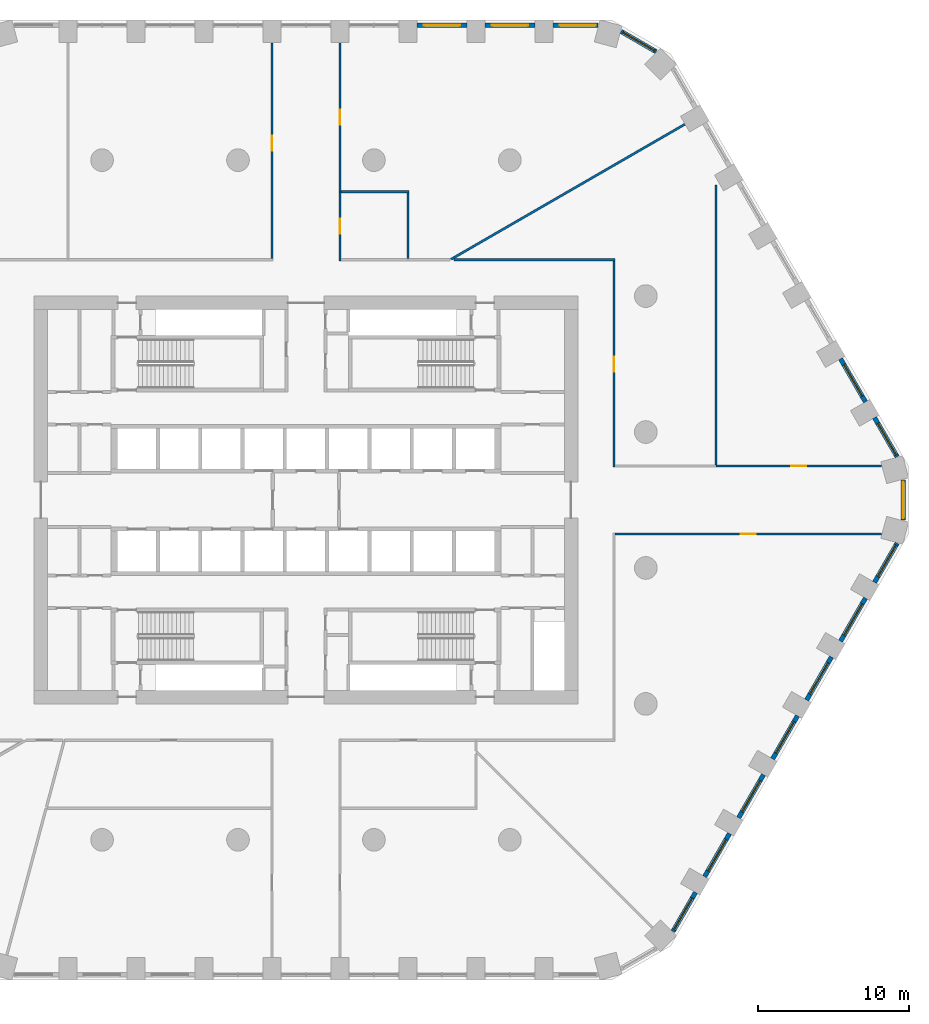
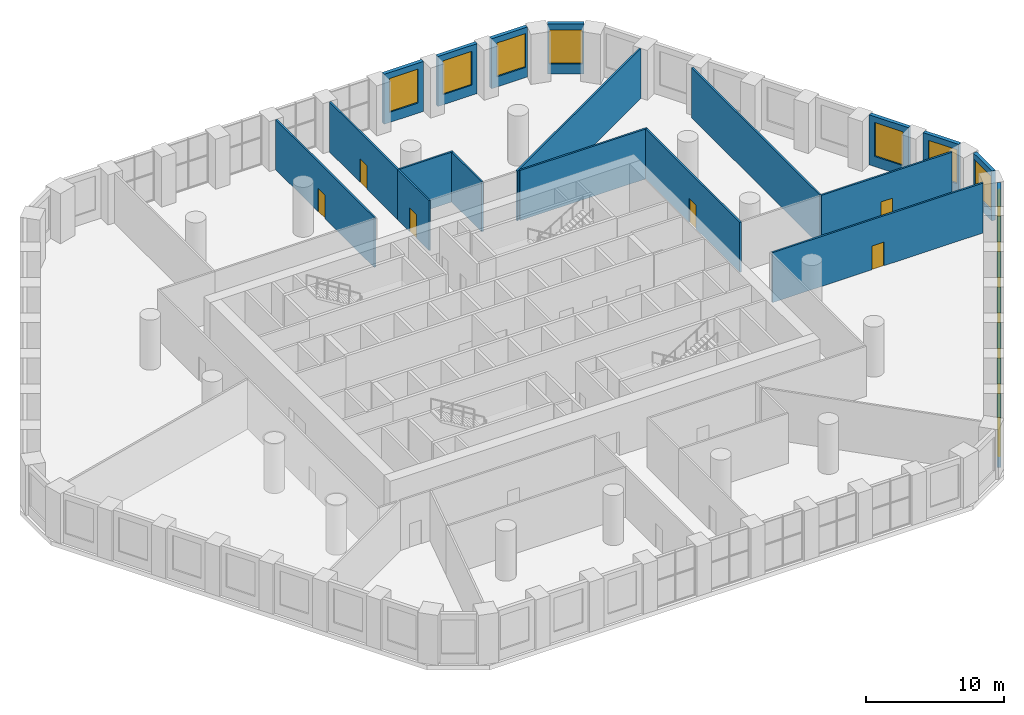
# One storey, part 10 of 13: 25 walls, 14 windows, 6 doors, 20 openings.
"""IFC4 building model written with IfcOpenShell, lengths in metres."""

from ifc_helpers import new_model, si_unit, direction, frame, frame_2d, origin, place, context, subcontext, project, spatial, rectangle, extrude, material, layer, layer_set, type_object, element, fill, save


model = new_model("IFC4")

# Units and contexts
model_context = context("Model", 3, precision=1e-05, world=origin(), true_north=direction((0.0, 1.0)))
body_context = subcontext(model_context, "Body", "Model", "MODEL_VIEW")
ifc_project = project(units=[si_unit("LENGTHUNIT", "METRE"), si_unit("AREAUNIT", "SQUARE_METRE"), si_unit("VOLUMEUNIT", "CUBIC_METRE"), si_unit("PLANEANGLEUNIT", "RADIAN"), si_unit("MASSUNIT", "GRAM", prefix="KILO")], contexts=[model_context])

# Site, building, storey
site_placement = place(None, origin())
site = spatial("IfcSite", under=ifc_project, at=site_placement, CompositionType="ELEMENT")
building_placement = place(site_placement, origin())
building = spatial("IfcBuilding", under=site, at=building_placement, Name="Dhurran Vertical Campus", CompositionType="ELEMENT")
storey_placement = place(building_placement, frame((0.0, 0.0, 25.199951171875)))
storey = spatial("IfcBuildingStorey", under=building, at=storey_placement, Name="L05", CompositionType="ELEMENT", Elevation=25.199951171875)

# Wall, opening, window
ifc_material_1 = material(Name="Precast concrete C50/60", Category="concrete")
ifc_layer_1 = layer(ifc_material_1, 0.300048828125)
ifc_layer_set_1 = layer_set([ifc_layer_1], Name="Precast concrete C50/60")
wall_type_1 = type_object("IfcWallType", Name="Precast spandrel wall 300", PredefinedType="SOLIDWALL", material=ifc_layer_set_1)
wall_1_placement = place(storey_placement, frame((24.29931640625, -28.566162109375, 0.0), z_axis=(0.0, 0.0, 1.0), x_axis=(0.49999586137, 0.866027793211, 0.0)))
wall_1 = element("IfcWall", 1, at=wall_1_placement, inside=storey, type_object=wall_type_1, Name="EW1 L05.10", PredefinedType="SOLIDWALL", context=body_context, shape_type="SweptSolid", body=[
    extrude(rectangle(XDim=2.98876953125, YDim=0.300048828125, at=frame_2d((1.494384765625, 0.0))), origin(), (0.0, 0.0, 1.0), 4.425048828125),
])
opening_1_placement = place(wall_1_placement, frame((0.139404296875, 0.0, 0.89990234375)))
opening_1 = element("IfcOpeningElement", 2, at=opening_1_placement, cuts=wall_1, Name="Opening WT2", PredefinedType="OPENING", context=body_context, shape_type="SweptSolid", body=[
    extrude(rectangle(XDim=2.39990234375, YDim=3.0, at=frame_2d((1.199951171875, 1.5))), frame((0.0, 0.159912109375, 0.0), z_axis=(0.0, -1.0, 0.0), x_axis=(1.0, 0.0, 0.0)), (0.0, 0.0, 1.0), 0.320068359375),
])
ifc_material_2 = material(Name="Aluminium frame with solar-control glass", Category="aluminium")
window_type = type_object("IfcWindowType", Name="Podium window 2400 x 3000", PartitioningType="SINGLE_PANEL", PredefinedType="WINDOW", material=ifc_material_2)
window_1_placement = place(opening_1_placement, origin())
window_1 = element("IfcWindow", 3, at=window_1_placement, inside=storey, type_object=window_type, Name="WT2 L05.10", OverallHeight=3.0, OverallWidth=2.39990234375, PartitioningType="SINGLE_PANEL", PredefinedType="WINDOW", context=body_context, shape_type="SweptSolid", body=[
    extrude(rectangle(XDim=2.39990234375, YDim=3.0, at=frame_2d((1.199951171875, 1.5))), frame((0.0, 0.030029296875, 0.0), z_axis=(0.0, -1.0, 0.0), x_axis=(1.0, 0.0, 0.0)), (0.0, 0.0, 1.0), 0.06005859375),
])
fill(opening_1, window_1)

wall_2_placement = place(storey_placement, frame((26.394287109375, -24.9375, 0.0), z_axis=(0.0, 0.0, 1.0), x_axis=(0.499991515992, 0.866030301974, 0.0)))
wall_2 = element("IfcWall", 4, at=wall_2_placement, inside=storey, type_object=wall_type_1, Name="EW1 L05.11", PredefinedType="SOLIDWALL", context=body_context, shape_type="SweptSolid", body=[
    extrude(rectangle(XDim=3.298828125, YDim=0.300048828125, at=frame_2d((1.6494140625, 0.0))), origin(), (0.0, 0.0, 1.0), 4.425048828125),
])
opening_2_placement = place(wall_2_placement, frame((0.449462890625, 0.0, 0.89990234375)))
opening_2 = element("IfcOpeningElement", 5, at=opening_2_placement, cuts=wall_2, Name="Opening WT2", PredefinedType="OPENING", context=body_context, shape_type="SweptSolid", body=[
    extrude(rectangle(XDim=2.39990234375, YDim=3.0, at=frame_2d((1.199951171875, 1.5))), frame((0.0, 0.159912109375, 0.0), z_axis=(0.0, -1.0, 0.0), x_axis=(1.0, 0.0, 0.0)), (0.0, 0.0, 1.0), 0.320068359375),
])
window_2_placement = place(opening_2_placement, origin())
window_2 = element("IfcWindow", 6, at=window_2_placement, inside=storey, type_object=window_type, Name="WT2 L05.11", OverallHeight=3.0, OverallWidth=2.39990234375, PartitioningType="SINGLE_PANEL", PredefinedType="WINDOW", context=body_context, shape_type="SweptSolid", body=[
    extrude(rectangle(XDim=2.39990234375, YDim=3.0, at=frame_2d((1.199951171875, 1.5))), frame((0.0, 0.030029296875, 0.0), z_axis=(0.0, -1.0, 0.0), x_axis=(1.0, 0.0, 0.0)), (0.0, 0.0, 1.0), 0.06005859375),
])
fill(opening_2, window_2)

wall_3_placement = place(storey_placement, frame((28.644287109375, -21.04052734375, 0.0), z_axis=(0.0, 0.0, 1.0), x_axis=(0.499991515992, 0.866030301974, 0.0)))
wall_3 = element("IfcWall", 7, at=wall_3_placement, inside=storey, type_object=wall_type_1, Name="EW1 L05.12", PredefinedType="SOLIDWALL", context=body_context, shape_type="SweptSolid", body=[
    extrude(rectangle(XDim=3.298828125, YDim=0.300048828125, at=frame_2d((1.6494140625, 0.0))), origin(), (0.0, 0.0, 1.0), 4.425048828125),
])
opening_3_placement = place(wall_3_placement, frame((0.449462890625, 0.0, 0.89990234375)))
opening_3 = element("IfcOpeningElement", 8, at=opening_3_placement, cuts=wall_3, Name="Opening WT2", PredefinedType="OPENING", context=body_context, shape_type="SweptSolid", body=[
    extrude(rectangle(XDim=2.39990234375, YDim=3.0, at=frame_2d((1.199951171875, 1.5))), frame((0.0, 0.159912109375, 0.0), z_axis=(0.0, -1.0, 0.0), x_axis=(1.0, 0.0, 0.0)), (0.0, 0.0, 1.0), 0.320068359375),
])
window_3_placement = place(opening_3_placement, origin())
window_3 = element("IfcWindow", 9, at=window_3_placement, inside=storey, type_object=window_type, Name="WT2 L05.12", OverallHeight=3.0, OverallWidth=2.39990234375, PartitioningType="SINGLE_PANEL", PredefinedType="WINDOW", context=body_context, shape_type="SweptSolid", body=[
    extrude(rectangle(XDim=2.39990234375, YDim=3.0, at=frame_2d((1.199951171875, 1.5))), frame((0.0, 0.030029296875, 0.0), z_axis=(0.0, -1.0, 0.0), x_axis=(1.0, 0.0, 0.0)), (0.0, 0.0, 1.0), 0.06005859375),
])
fill(opening_3, window_3)

wall_4_placement = place(storey_placement, frame((30.894287109375, -17.143310546875, 0.0), z_axis=(0.0, 0.0, 1.0), x_axis=(0.499991515992, 0.866030301974, 0.0)))
wall_4 = element("IfcWall", 10, at=wall_4_placement, inside=storey, type_object=wall_type_1, Name="EW1 L05.13", PredefinedType="SOLIDWALL", context=body_context, shape_type="SweptSolid", body=[
    extrude(rectangle(XDim=3.298828125, YDim=0.300048828125, at=frame_2d((1.6494140625, 0.0))), origin(), (0.0, 0.0, 1.0), 4.425048828125),
])
opening_4_placement = place(wall_4_placement, frame((0.449462890625, 0.0, 0.89990234375)))
opening_4 = element("IfcOpeningElement", 11, at=opening_4_placement, cuts=wall_4, Name="Opening WT2", PredefinedType="OPENING", context=body_context, shape_type="SweptSolid", body=[
    extrude(rectangle(XDim=2.39990234375, YDim=3.0, at=frame_2d((1.199951171875, 1.5))), frame((0.0, 0.159912109375, 0.0), z_axis=(0.0, -1.0, 0.0), x_axis=(1.0, 0.0, 0.0)), (0.0, 0.0, 1.0), 0.320068359375),
])
window_4_placement = place(opening_4_placement, origin())
window_4 = element("IfcWindow", 12, at=window_4_placement, inside=storey, type_object=window_type, Name="WT2 L05.13", OverallHeight=3.0, OverallWidth=2.39990234375, PartitioningType="SINGLE_PANEL", PredefinedType="WINDOW", context=body_context, shape_type="SweptSolid", body=[
    extrude(rectangle(XDim=2.39990234375, YDim=3.0, at=frame_2d((1.199951171875, 1.5))), frame((0.0, 0.030029296875, 0.0), z_axis=(0.0, -1.0, 0.0), x_axis=(1.0, 0.0, 0.0)), (0.0, 0.0, 1.0), 0.06005859375),
])
fill(opening_4, window_4)

wall_5_placement = place(storey_placement, frame((33.144287109375, -13.246337890625, 0.0), z_axis=(0.0, 0.0, 1.0), x_axis=(0.499991515992, 0.866030301974, 0.0)))
wall_5 = element("IfcWall", 13, at=wall_5_placement, inside=storey, type_object=wall_type_1, Name="EW1 L05.14", PredefinedType="SOLIDWALL", context=body_context, shape_type="SweptSolid", body=[
    extrude(rectangle(XDim=3.298828125, YDim=0.300048828125, at=frame_2d((1.6494140625, 0.0))), origin(), (0.0, 0.0, 1.0), 4.425048828125),
])
opening_5_placement = place(wall_5_placement, frame((0.449462890625, 0.0, 0.89990234375)))
opening_5 = element("IfcOpeningElement", 14, at=opening_5_placement, cuts=wall_5, Name="Opening WT2", PredefinedType="OPENING", context=body_context, shape_type="SweptSolid", body=[
    extrude(rectangle(XDim=2.39990234375, YDim=3.0, at=frame_2d((1.199951171875, 1.5))), frame((0.0, 0.159912109375, 0.0), z_axis=(0.0, -1.0, 0.0), x_axis=(1.0, 0.0, 0.0)), (0.0, 0.0, 1.0), 0.320068359375),
])
window_5_placement = place(opening_5_placement, origin())
window_5 = element("IfcWindow", 15, at=window_5_placement, inside=storey, type_object=window_type, Name="WT2 L05.14", OverallHeight=3.0, OverallWidth=2.39990234375, PartitioningType="SINGLE_PANEL", PredefinedType="WINDOW", context=body_context, shape_type="SweptSolid", body=[
    extrude(rectangle(XDim=2.39990234375, YDim=3.0, at=frame_2d((1.199951171875, 1.5))), frame((0.0, 0.030029296875, 0.0), z_axis=(0.0, -1.0, 0.0), x_axis=(1.0, 0.0, 0.0)), (0.0, 0.0, 1.0), 0.06005859375),
])
fill(opening_5, window_5)

wall_6_placement = place(storey_placement, frame((35.394287109375, -9.34912109375, 0.0), z_axis=(0.0, 0.0, 1.0), x_axis=(0.499991515992, 0.866030301974, 0.0)))
wall_6 = element("IfcWall", 16, at=wall_6_placement, inside=storey, type_object=wall_type_1, Name="EW1 L05.15", PredefinedType="SOLIDWALL", context=body_context, shape_type="SweptSolid", body=[
    extrude(rectangle(XDim=3.298828125, YDim=0.300048828125, at=frame_2d((1.6494140625, 0.0))), origin(), (0.0, 0.0, 1.0), 4.425048828125),
])
opening_6_placement = place(wall_6_placement, frame((0.449462890625, 0.0, 0.89990234375)))
opening_6 = element("IfcOpeningElement", 17, at=opening_6_placement, cuts=wall_6, Name="Opening WT2", PredefinedType="OPENING", context=body_context, shape_type="SweptSolid", body=[
    extrude(rectangle(XDim=2.39990234375, YDim=3.0, at=frame_2d((1.199951171875, 1.5))), frame((0.0, 0.159912109375, 0.0), z_axis=(0.0, -1.0, 0.0), x_axis=(1.0, 0.0, 0.0)), (0.0, 0.0, 1.0), 0.320068359375),
])
window_6_placement = place(opening_6_placement, origin())
window_6 = element("IfcWindow", 18, at=window_6_placement, inside=storey, type_object=window_type, Name="WT2 L05.15", OverallHeight=3.0, OverallWidth=2.39990234375, PartitioningType="SINGLE_PANEL", PredefinedType="WINDOW", context=body_context, shape_type="SweptSolid", body=[
    extrude(rectangle(XDim=2.39990234375, YDim=3.0, at=frame_2d((1.199951171875, 1.5))), frame((0.0, 0.030029296875, 0.0), z_axis=(0.0, -1.0, 0.0), x_axis=(1.0, 0.0, 0.0)), (0.0, 0.0, 1.0), 0.06005859375),
])
fill(opening_6, window_6)

wall_7_placement = place(storey_placement, frame((37.644287109375, -5.4521484375, 0.0), z_axis=(0.0, 0.0, 1.0), x_axis=(0.49999586137, 0.866027793211, 0.0)))
wall_7 = element("IfcWall", 19, at=wall_7_placement, inside=storey, type_object=wall_type_1, Name="EW1 L05.16", PredefinedType="SOLIDWALL", context=body_context, shape_type="SweptSolid", body=[
    extrude(rectangle(XDim=2.98876953125, YDim=0.300048828125, at=frame_2d((1.494384765625, 0.0))), origin(), (0.0, 0.0, 1.0), 4.425048828125),
])
opening_7_placement = place(wall_7_placement, frame((0.449462890625, 0.0, 0.89990234375)))
opening_7 = element("IfcOpeningElement", 20, at=opening_7_placement, cuts=wall_7, Name="Opening WT2", PredefinedType="OPENING", context=body_context, shape_type="SweptSolid", body=[
    extrude(rectangle(XDim=2.39990234375, YDim=3.0, at=frame_2d((1.199951171875, 1.5))), frame((0.0, 0.159912109375, 0.0), z_axis=(0.0, -1.0, 0.0), x_axis=(1.0, 0.0, 0.0)), (0.0, 0.0, 1.0), 0.320068359375),
])
window_7_placement = place(opening_7_placement, origin())
window_7 = element("IfcWindow", 21, at=window_7_placement, inside=storey, type_object=window_type, Name="WT2 L05.16", OverallHeight=3.0, OverallWidth=2.39990234375, PartitioningType="SINGLE_PANEL", PredefinedType="WINDOW", context=body_context, shape_type="SweptSolid", body=[
    extrude(rectangle(XDim=2.39990234375, YDim=3.0, at=frame_2d((1.199951171875, 1.5))), frame((0.0, 0.030029296875, 0.0), z_axis=(0.0, -1.0, 0.0), x_axis=(1.0, 0.0, 0.0)), (0.0, 0.0, 1.0), 0.06005859375),
])
fill(opening_7, window_7)

wall_8_placement = place(storey_placement, frame((39.547119140625, -1.33935546875, 0.0), z_axis=(0.0, 0.0, 1.0), x_axis=(0.0, 1.0, 0.0)))
wall_8 = element("IfcWall", 22, at=wall_8_placement, inside=storey, type_object=wall_type_1, Name="EW1 L05.17", PredefinedType="SOLIDWALL", context=body_context, shape_type="SweptSolid", body=[
    extrude(rectangle(XDim=2.6787109375, YDim=0.300048828125, at=frame_2d((1.33935546875, 0.0))), origin(), (0.0, 0.0, 1.0), 4.425048828125),
])
opening_8_placement = place(wall_8_placement, frame((0.139404296875, 0.0, 0.89990234375)))
opening_8 = element("IfcOpeningElement", 23, at=opening_8_placement, cuts=wall_8, Name="Opening WT2", PredefinedType="OPENING", context=body_context, shape_type="SweptSolid", body=[
    extrude(rectangle(XDim=2.39990234375, YDim=3.0, at=frame_2d((1.199951171875, 1.5))), frame((0.0, 0.159912109375, 0.0), z_axis=(0.0, -1.0, 0.0), x_axis=(1.0, 0.0, 0.0)), (0.0, 0.0, 1.0), 0.320068359375),
])
window_8_placement = place(opening_8_placement, origin())
window_8 = element("IfcWindow", 24, at=window_8_placement, inside=storey, type_object=window_type, Name="WT2 L05.17", OverallHeight=3.0, OverallWidth=2.39990234375, PartitioningType="SINGLE_PANEL", PredefinedType="WINDOW", context=body_context, shape_type="SweptSolid", body=[
    extrude(rectangle(XDim=2.39990234375, YDim=3.0, at=frame_2d((1.199951171875, 1.5))), frame((0.0, 0.030029296875, 0.0), z_axis=(0.0, -1.0, 0.0), x_axis=(1.0, 0.0, 0.0)), (0.0, 0.0, 1.0), 0.06005859375),
])
fill(opening_8, window_8)

wall_9_placement = place(storey_placement, frame((39.138671875, 2.86376953125, 0.0), z_axis=(0.0, 0.0, 1.0), x_axis=(-0.49999586137, 0.866027793211, 0.0)))
wall_9 = element("IfcWall", 25, at=wall_9_placement, inside=storey, type_object=wall_type_1, Name="EW1 L05.18", PredefinedType="SOLIDWALL", context=body_context, shape_type="SweptSolid", body=[
    extrude(rectangle(XDim=2.98876953125, YDim=0.300048828125, at=frame_2d((1.494384765625, 0.0))), origin(), (0.0, 0.0, 1.0), 4.425048828125),
])
opening_9_placement = place(wall_9_placement, frame((0.139404296875, 0.0, 0.89990234375)))
opening_9 = element("IfcOpeningElement", 26, at=opening_9_placement, cuts=wall_9, Name="Opening WT2", PredefinedType="OPENING", context=body_context, shape_type="SweptSolid", body=[
    extrude(rectangle(XDim=2.39990234375, YDim=3.0, at=frame_2d((1.199951171875, 1.5))), frame((0.0, 0.159912109375, 0.0), z_axis=(0.0, -1.0, 0.0), x_axis=(1.0, 0.0, 0.0)), (0.0, 0.0, 1.0), 0.320068359375),
])
window_9_placement = place(opening_9_placement, origin())
window_9 = element("IfcWindow", 27, at=window_9_placement, inside=storey, type_object=window_type, Name="WT2 L05.18", OverallHeight=3.0, OverallWidth=2.39990234375, PartitioningType="SINGLE_PANEL", PredefinedType="WINDOW", context=body_context, shape_type="SweptSolid", body=[
    extrude(rectangle(XDim=2.39990234375, YDim=3.0, at=frame_2d((1.199951171875, 1.5))), frame((0.0, 0.030029296875, 0.0), z_axis=(0.0, -1.0, 0.0), x_axis=(1.0, 0.0, 0.0)), (0.0, 0.0, 1.0), 0.06005859375),
])
fill(opening_9, window_9)

wall_10_placement = place(storey_placement, frame((37.043701171875, 6.4921875, 0.0), z_axis=(0.0, 0.0, 1.0), x_axis=(-0.499991515992, 0.866030301974, 0.0)))
wall_10 = element("IfcWall", 28, at=wall_10_placement, inside=storey, type_object=wall_type_1, Name="EW1 L05.19", PredefinedType="SOLIDWALL", context=body_context, shape_type="SweptSolid", body=[
    extrude(rectangle(XDim=3.298828125, YDim=0.300048828125, at=frame_2d((1.6494140625, 0.0))), origin(), (0.0, 0.0, 1.0), 4.425048828125),
])
opening_10_placement = place(wall_10_placement, frame((0.449462890625, 0.0, 0.89990234375)))
opening_10 = element("IfcOpeningElement", 29, at=opening_10_placement, cuts=wall_10, Name="Opening WT2", PredefinedType="OPENING", context=body_context, shape_type="SweptSolid", body=[
    extrude(rectangle(XDim=2.39990234375, YDim=3.0, at=frame_2d((1.199951171875, 1.5))), frame((0.0, 0.159912109375, 0.0), z_axis=(0.0, -1.0, 0.0), x_axis=(1.0, 0.0, 0.0)), (0.0, 0.0, 1.0), 0.320068359375),
])
window_10_placement = place(opening_10_placement, origin())
window_10 = element("IfcWindow", 30, at=window_10_placement, inside=storey, type_object=window_type, Name="WT2 L05.19", OverallHeight=3.0, OverallWidth=2.39990234375, PartitioningType="SINGLE_PANEL", PredefinedType="WINDOW", context=body_context, shape_type="SweptSolid", body=[
    extrude(rectangle(XDim=2.39990234375, YDim=3.0, at=frame_2d((1.199951171875, 1.5))), frame((0.0, 0.030029296875, 0.0), z_axis=(0.0, -1.0, 0.0), x_axis=(1.0, 0.0, 0.0)), (0.0, 0.0, 1.0), 0.06005859375),
])
fill(opening_10, window_10)

wall_11_placement = place(storey_placement, frame((23.183349609375, 29.681884765625, 0.0), z_axis=(0.0, 0.0, 1.0), x_axis=(-0.866001915448, 0.500040680786, 0.0)))
wall_11 = element("IfcWall", 31, at=wall_11_placement, inside=storey, type_object=wall_type_1, Name="EW1 L05.25", PredefinedType="SOLIDWALL", context=body_context, shape_type="SweptSolid", body=[
    extrude(rectangle(XDim=2.678466796875, YDim=0.300048828125, at=frame_2d((1.33935546875, 0.0))), origin(), (0.0, 0.0, 1.0), 4.425048828125),
])
opening_11_placement = place(wall_11_placement, frame((0.139404296875, 0.0, 0.89990234375)))
opening_11 = element("IfcOpeningElement", 32, at=opening_11_placement, cuts=wall_11, Name="Opening WT2", PredefinedType="OPENING", context=body_context, shape_type="SweptSolid", body=[
    extrude(rectangle(XDim=2.39990234375, YDim=3.0, at=frame_2d((1.199951171875, 1.5))), frame((0.0, 0.159912109375, 0.0), z_axis=(0.0, -1.0, 0.0), x_axis=(1.0, 0.0, 0.0)), (0.0, 0.0, 1.0), 0.320068359375),
])
window_11_placement = place(opening_11_placement, origin())
window_11 = element("IfcWindow", 33, at=window_11_placement, inside=storey, type_object=window_type, Name="WT2 L05.25", OverallHeight=3.0, OverallWidth=2.39990234375, PartitioningType="SINGLE_PANEL", PredefinedType="WINDOW", context=body_context, shape_type="SweptSolid", body=[
    extrude(rectangle(XDim=2.39990234375, YDim=3.0, at=frame_2d((1.199951171875, 1.5))), frame((0.0, 0.030029296875, 0.0), z_axis=(0.0, -1.0, 0.0), x_axis=(1.0, 0.0, 0.0)), (0.0, 0.0, 1.0), 0.06005859375),
])
fill(opening_11, window_11)

wall_12_placement = place(storey_placement, frame((19.33935546875, 31.4296875, 0.0), z_axis=(0.0, 0.0, 1.0), x_axis=(-1.0, 0.0, 0.0)))
wall_12 = element("IfcWall", 34, at=wall_12_placement, inside=storey, type_object=wall_type_1, Name="EW1 L05.26", PredefinedType="SOLIDWALL", context=body_context, shape_type="SweptSolid", body=[
    extrude(rectangle(XDim=2.98876953125, YDim=0.300048828125, at=frame_2d((1.494384765625, 0.0))), origin(), (0.0, 0.0, 1.0), 4.425048828125),
])
opening_12_placement = place(wall_12_placement, frame((0.139404296875, 0.0, 0.89990234375)))
opening_12 = element("IfcOpeningElement", 35, at=opening_12_placement, cuts=wall_12, Name="Opening WT2", PredefinedType="OPENING", context=body_context, shape_type="SweptSolid", body=[
    extrude(rectangle(XDim=2.39990234375, YDim=3.0, at=frame_2d((1.199951171875, 1.5))), frame((0.0, 0.159912109375, 0.0), z_axis=(0.0, -1.0, 0.0), x_axis=(1.0, 0.0, 0.0)), (0.0, 0.0, 1.0), 0.320068359375),
])
window_12_placement = place(opening_12_placement, origin())
window_12 = element("IfcWindow", 36, at=window_12_placement, inside=storey, type_object=window_type, Name="WT2 L05.26", OverallHeight=3.0, OverallWidth=2.39990234375, PartitioningType="SINGLE_PANEL", PredefinedType="WINDOW", context=body_context, shape_type="SweptSolid", body=[
    extrude(rectangle(XDim=2.39990234375, YDim=3.0, at=frame_2d((1.199951171875, 1.5))), frame((0.0, 0.030029296875, 0.0), z_axis=(0.0, -1.0, 0.0), x_axis=(1.0, 0.0, 0.0)), (0.0, 0.0, 1.0), 0.06005859375),
])
fill(opening_12, window_12)

wall_13_placement = place(storey_placement, frame((15.1494140625, 31.4296875, 0.0), z_axis=(0.0, 0.0, 1.0), x_axis=(-1.0, 0.0, 0.0)))
wall_13 = element("IfcWall", 37, at=wall_13_placement, inside=storey, type_object=wall_type_1, Name="EW1 L05.27", PredefinedType="SOLIDWALL", context=body_context, shape_type="SweptSolid", body=[
    extrude(rectangle(XDim=3.298828125, YDim=0.300048828125, at=frame_2d((1.6494140625, 0.0))), origin(), (0.0, 0.0, 1.0), 4.425048828125),
])
opening_13_placement = place(wall_13_placement, frame((0.449462890625, 0.0, 0.89990234375)))
opening_13 = element("IfcOpeningElement", 38, at=opening_13_placement, cuts=wall_13, Name="Opening WT2", PredefinedType="OPENING", context=body_context, shape_type="SweptSolid", body=[
    extrude(rectangle(XDim=2.39990234375, YDim=3.0, at=frame_2d((1.199951171875, 1.5))), frame((0.0, 0.159912109375, 0.0), z_axis=(0.0, -1.0, 0.0), x_axis=(1.0, 0.0, 0.0)), (0.0, 0.0, 1.0), 0.320068359375),
])
window_13_placement = place(opening_13_placement, origin())
window_13 = element("IfcWindow", 39, at=window_13_placement, inside=storey, type_object=window_type, Name="WT2 L05.27", OverallHeight=3.0, OverallWidth=2.39990234375, PartitioningType="SINGLE_PANEL", PredefinedType="WINDOW", context=body_context, shape_type="SweptSolid", body=[
    extrude(rectangle(XDim=2.39990234375, YDim=3.0, at=frame_2d((1.199951171875, 1.5))), frame((0.0, 0.030029296875, 0.0), z_axis=(0.0, -1.0, 0.0), x_axis=(1.0, 0.0, 0.0)), (0.0, 0.0, 1.0), 0.06005859375),
])
fill(opening_13, window_13)

wall_14_placement = place(storey_placement, frame((10.6494140625, 31.4296875, 0.0), z_axis=(0.0, 0.0, 1.0), x_axis=(-1.0, 0.0, 0.0)))
wall_14 = element("IfcWall", 40, at=wall_14_placement, inside=storey, type_object=wall_type_1, Name="EW1 L05.28", PredefinedType="SOLIDWALL", context=body_context, shape_type="SweptSolid", body=[
    extrude(rectangle(XDim=3.298828125, YDim=0.300048828125, at=frame_2d((1.6494140625, 0.0))), origin(), (0.0, 0.0, 1.0), 4.425048828125),
])
opening_14_placement = place(wall_14_placement, frame((0.449462890625, 0.0, 0.89990234375)))
opening_14 = element("IfcOpeningElement", 41, at=opening_14_placement, cuts=wall_14, Name="Opening WT2", PredefinedType="OPENING", context=body_context, shape_type="SweptSolid", body=[
    extrude(rectangle(XDim=2.39990234375, YDim=3.0, at=frame_2d((1.199951171875, 1.5))), frame((0.0, 0.159912109375, 0.0), z_axis=(0.0, -1.0, 0.0), x_axis=(1.0, 0.0, 0.0)), (0.0, 0.0, 1.0), 0.320068359375),
])
window_14_placement = place(opening_14_placement, origin())
window_14 = element("IfcWindow", 42, at=window_14_placement, inside=storey, type_object=window_type, Name="WT2 L05.28", OverallHeight=3.0, OverallWidth=2.39990234375, PartitioningType="SINGLE_PANEL", PredefinedType="WINDOW", context=body_context, shape_type="SweptSolid", body=[
    extrude(rectangle(XDim=2.39990234375, YDim=3.0, at=frame_2d((1.199951171875, 1.5))), frame((0.0, 0.030029296875, 0.0), z_axis=(0.0, -1.0, 0.0), x_axis=(1.0, 0.0, 0.0)), (0.0, 0.0, 1.0), 0.06005859375),
])
fill(opening_14, window_14)

# Wall, opening, door
ifc_material_3 = material(Name="Gypsum board corridor wall on steel studs", Category="steel")
ifc_layer_2 = layer(ifc_material_3, 0.14990234375)
ifc_layer_set_2 = layer_set([ifc_layer_2], Name="Gypsum board corridor wall on steel studs")
wall_type_2 = type_object("IfcWallType", Name="fl-CW-150 corridor wall", PredefinedType="PARTITIONING", material=ifc_layer_set_2)
wall_15_placement = place(storey_placement, frame((-2.25, 15.97509765625, 0.0), z_axis=(0.0, 0.0, 1.0), x_axis=(0.0, 1.0, 0.0)))
wall_15 = element("IfcWall", 43, at=wall_15_placement, inside=storey, type_object=wall_type_2, Name="Partition 05-16", PredefinedType="PARTITIONING", context=body_context, shape_type="SweptSolid", body=[
    extrude(rectangle(XDim=14.28466796875, YDim=0.14990234375, at=frame_2d((7.142333984375, 0.0))), origin(), (0.0, 0.0, 1.0), 4.425048828125),
])
opening_15_placement = place(wall_15_placement, frame((7.142333984375, 0.0, 0.0)))
opening_15 = element("IfcOpeningElement", 44, at=opening_15_placement, cuts=wall_15, Name="Opening PD05.06", PredefinedType="OPENING", context=body_context, shape_type="SweptSolid", body=[
    extrude(rectangle(XDim=1.0, YDim=2.10009765625, at=frame_2d((0.5, 1.050048828125))), frame((0.0, 0.0849609375, 0.0), z_axis=(0.0, -1.0, 0.0), x_axis=(1.0, 0.0, 0.0)), (0.0, 0.0, 1.0), 0.169921875),
])
ifc_material_4 = material(Name="Solid-core timber door set, fire-rated", Category="wood")
door_type = type_object("IfcDoorType", Name="fl-D-1000x2100", OperationType="SINGLE_SWING_LEFT", PredefinedType="DOOR", material=ifc_material_4)
door_1_placement = place(opening_15_placement, origin())
door_1 = element("IfcDoor", 45, at=door_1_placement, inside=storey, type_object=door_type, Name="Door 05.06", OperationType="SINGLE_SWING_LEFT", OverallHeight=2.10009765625, OverallWidth=1.0, PredefinedType="DOOR", context=body_context, shape_type="SweptSolid", body=[
    extrude(rectangle(XDim=1.0, YDim=2.10009765625, at=frame_2d((0.5, 1.050048828125))), frame((0.0, 0.02490234375, 0.0), z_axis=(0.0, -1.0, 0.0), x_axis=(1.0, 0.0, 0.0)), (0.0, 0.0, 1.0), 0.050048828125),
])
fill(opening_15, door_1)

wall_16_placement = place(storey_placement, frame((2.25, 20.39990234375, 0.0), z_axis=(0.0, 0.0, 1.0), x_axis=(0.0, -1.0, 0.0)))
wall_16 = element("IfcWall", 46, at=wall_16_placement, inside=storey, type_object=wall_type_2, Name="Partition 05-21", PredefinedType="PARTITIONING", context=body_context, shape_type="SweptSolid", body=[
    extrude(rectangle(XDim=4.574951171875, YDim=0.14990234375, at=frame_2d((2.28759765625, 0.0))), origin(), (0.0, 0.0, 1.0), 4.425048828125),
])
opening_16_placement = place(wall_16_placement, frame((1.78759765625, 0.0, 0.0)))
opening_16 = element("IfcOpeningElement", 47, at=opening_16_placement, cuts=wall_16, Name="Opening PD05.07", PredefinedType="OPENING", context=body_context, shape_type="SweptSolid", body=[
    extrude(rectangle(XDim=1.0, YDim=2.10009765625, at=frame_2d((0.5, 1.050048828125))), frame((0.0, 0.0849609375, 0.0), z_axis=(0.0, -1.0, 0.0), x_axis=(1.0, 0.0, 0.0)), (0.0, 0.0, 1.0), 0.169921875),
])
door_2_placement = place(opening_16_placement, origin())
door_2 = element("IfcDoor", 48, at=door_2_placement, inside=storey, type_object=door_type, Name="Door 05.07", OperationType="SINGLE_SWING_RIGHT", OverallHeight=2.10009765625, OverallWidth=1.0, PredefinedType="DOOR", context=body_context, shape_type="SweptSolid", body=[
    extrude(rectangle(XDim=1.0, YDim=2.10009765625, at=frame_2d((0.5, 1.050048828125))), frame((0.0, 0.02490234375, 0.0), z_axis=(0.0, -1.0, 0.0), x_axis=(1.0, 0.0, 0.0)), (0.0, 0.0, 1.0), 0.050048828125),
])
fill(opening_16, door_2)

wall_17_placement = place(storey_placement, frame((2.25, 30.259765625, 0.0), z_axis=(0.0, 0.0, 1.0), x_axis=(0.0, -1.0, 0.0)))
wall_17 = element("IfcWall", 49, at=wall_17_placement, inside=storey, type_object=wall_type_2, Name="Partition 05-23", PredefinedType="PARTITIONING", context=body_context, shape_type="SweptSolid", body=[
    extrude(rectangle(XDim=9.85986328125, YDim=0.14990234375, at=frame_2d((4.929931640625, 0.0))), origin(), (0.0, 0.0, 1.0), 4.425048828125),
])
opening_17_placement = place(wall_17_placement, frame((4.429931640625, 0.0, 0.0)))
opening_17 = element("IfcOpeningElement", 50, at=opening_17_placement, cuts=wall_17, Name="Opening PD05.10", PredefinedType="OPENING", context=body_context, shape_type="SweptSolid", body=[
    extrude(rectangle(XDim=1.0, YDim=2.10009765625, at=frame_2d((0.5, 1.050048828125))), frame((0.0, 0.0849609375, 0.0), z_axis=(0.0, -1.0, 0.0), x_axis=(1.0, 0.0, 0.0)), (0.0, 0.0, 1.0), 0.169921875),
])
door_3_placement = place(opening_17_placement, origin())
door_3 = element("IfcDoor", 51, at=door_3_placement, inside=storey, type_object=door_type, Name="Door 05.10", OperationType="SINGLE_SWING_RIGHT", OverallHeight=2.10009765625, OverallWidth=1.0, PredefinedType="DOOR", context=body_context, shape_type="SweptSolid", body=[
    extrude(rectangle(XDim=1.0, YDim=2.10009765625, at=frame_2d((0.5, 1.050048828125))), frame((0.0, 0.02490234375, 0.0), z_axis=(0.0, -1.0, 0.0), x_axis=(1.0, 0.0, 0.0)), (0.0, 0.0, 1.0), 0.050048828125),
])
fill(opening_17, door_3)

# Wall
wall_18_placement = place(storey_placement, frame((20.47509765625, 15.89990234375, 0.0), z_axis=(0.0, 0.0, 1.0), x_axis=(-1.0, 0.0, 0.0)))
element("IfcWall", 52, at=wall_18_placement, inside=storey, type_object=wall_type_2, Name="Partition 05-27", PredefinedType="PARTITIONING", context=body_context, shape_type="SweptSolid", body=[
    extrude(rectangle(XDim=10.66015625, YDim=0.14990234375, at=frame_2d((5.330078125, 0.0))), origin(), (0.0, 0.0, 1.0), 4.425048828125),
])

# Wall, opening, door
wall_19_placement = place(storey_placement, frame((38.115478515625, -2.25, 0.0), z_axis=(0.0, 0.0, 1.0), x_axis=(-1.0, 0.0, 0.0)))
wall_19 = element("IfcWall", 53, at=wall_19_placement, inside=storey, type_object=wall_type_2, Name="Partition 05-34", PredefinedType="PARTITIONING", context=body_context, shape_type="SweptSolid", body=[
    extrude(rectangle(XDim=17.640380859375, YDim=0.14990234375, at=frame_2d((8.8203125, 0.0))), origin(), (0.0, 0.0, 1.0), 4.425048828125),
])
opening_18_placement = place(wall_19_placement, frame((8.3203125, 0.0, 0.0)))
opening_18 = element("IfcOpeningElement", 54, at=opening_18_placement, cuts=wall_19, Name="Opening PD05.12", PredefinedType="OPENING", context=body_context, shape_type="SweptSolid", body=[
    extrude(rectangle(XDim=1.0, YDim=2.10009765625, at=frame_2d((0.5, 1.050048828125))), frame((0.0, 0.0849609375, 0.0), z_axis=(0.0, -1.0, 0.0), x_axis=(1.0, 0.0, 0.0)), (0.0, 0.0, 1.0), 0.169921875),
])
door_4_placement = place(opening_18_placement, origin())
door_4 = element("IfcDoor", 55, at=door_4_placement, inside=storey, type_object=door_type, Name="Door 05.12", OperationType="SINGLE_SWING_RIGHT", OverallHeight=2.10009765625, OverallWidth=1.0, PredefinedType="DOOR", context=body_context, shape_type="SweptSolid", body=[
    extrude(rectangle(XDim=1.0, YDim=2.10009765625, at=frame_2d((0.5, 1.050048828125))), frame((0.0, 0.02490234375, 0.0), z_axis=(0.0, -1.0, 0.0), x_axis=(1.0, 0.0, 0.0)), (0.0, 0.0, 1.0), 0.050048828125),
])
fill(opening_18, door_4)

wall_20_placement = place(storey_placement, frame((20.39990234375, 2.175048828125, 0.0), z_axis=(0.0, 0.0, 1.0), x_axis=(0.0, 1.0, 0.0)))
wall_20 = element("IfcWall", 56, at=wall_20_placement, inside=storey, type_object=wall_type_2, Name="Partition 05-35", PredefinedType="PARTITIONING", context=body_context, shape_type="SweptSolid", body=[
    extrude(rectangle(XDim=13.64990234375, YDim=0.14990234375, at=frame_2d((6.824951171875, 0.0))), origin(), (0.0, 0.0, 1.0), 4.425048828125),
])
opening_19_placement = place(wall_20_placement, frame((6.324951171875, 0.0, 0.0)))
opening_19 = element("IfcOpeningElement", 57, at=opening_19_placement, cuts=wall_20, Name="Opening PD05.11", PredefinedType="OPENING", context=body_context, shape_type="SweptSolid", body=[
    extrude(rectangle(XDim=1.0, YDim=2.10009765625, at=frame_2d((0.5, 1.050048828125))), frame((0.0, 0.0849609375, 0.0), z_axis=(0.0, -1.0, 0.0), x_axis=(1.0, 0.0, 0.0)), (0.0, 0.0, 1.0), 0.169921875),
])
door_5_placement = place(opening_19_placement, origin())
door_5 = element("IfcDoor", 58, at=door_5_placement, inside=storey, type_object=door_type, Name="Door 05.11", OperationType="SINGLE_SWING_LEFT", OverallHeight=2.10009765625, OverallWidth=1.0, PredefinedType="DOOR", context=body_context, shape_type="SweptSolid", body=[
    extrude(rectangle(XDim=1.0, YDim=2.10009765625, at=frame_2d((0.5, 1.050048828125))), frame((0.0, 0.02490234375, 0.0), z_axis=(0.0, -1.0, 0.0), x_axis=(1.0, 0.0, 0.0)), (0.0, 0.0, 1.0), 0.050048828125),
])
fill(opening_19, door_5)

wall_21_placement = place(storey_placement, frame((27.14990234375, 2.25, 0.0), z_axis=(0.0, 0.0, 1.0), x_axis=(1.0, 0.0, 0.0)))
wall_21 = element("IfcWall", 59, at=wall_21_placement, inside=storey, type_object=wall_type_2, Name="Partition 05-38", PredefinedType="PARTITIONING", context=body_context, shape_type="SweptSolid", body=[
    extrude(rectangle(XDim=10.965576171875, YDim=0.14990234375, at=frame_2d((5.48291015625, 0.0))), origin(), (0.0, 0.0, 1.0), 4.425048828125),
])
opening_20_placement = place(wall_21_placement, frame((4.982666015625, 0.0, 0.0)))
opening_20 = element("IfcOpeningElement", 60, at=opening_20_placement, cuts=wall_21, Name="Opening PD05.13", PredefinedType="OPENING", context=body_context, shape_type="SweptSolid", body=[
    extrude(rectangle(XDim=1.0, YDim=2.10009765625, at=frame_2d((0.5, 1.050048828125))), frame((0.0, 0.0849609375, 0.0), z_axis=(0.0, -1.0, 0.0), x_axis=(1.0, 0.0, 0.0)), (0.0, 0.0, 1.0), 0.169921875),
])
door_6_placement = place(opening_20_placement, origin())
door_6 = element("IfcDoor", 61, at=door_6_placement, inside=storey, type_object=door_type, Name="Door 05.13", OperationType="SINGLE_SWING_LEFT", OverallHeight=2.10009765625, OverallWidth=1.0, PredefinedType="DOOR", context=body_context, shape_type="SweptSolid", body=[
    extrude(rectangle(XDim=1.0, YDim=2.10009765625, at=frame_2d((0.5, 1.050048828125))), frame((0.0, 0.02490234375, 0.0), z_axis=(0.0, -1.0, 0.0), x_axis=(1.0, 0.0, 0.0)), (0.0, 0.0, 1.0), 0.050048828125),
])
fill(opening_20, door_6)

# Walls
ifc_material_5 = material(Name="Gypsum board partition on steel studs", Category="steel")
ifc_layer_3 = layer(ifc_material_5, 0.14990234375)
ifc_layer_set_3 = layer_set([ifc_layer_3], Name="Gypsum board partition on steel studs")
wall_type_3 = type_object("IfcWallType", Name="fl-PW-150 fixed partition", PredefinedType="PARTITIONING", material=ifc_layer_set_3)
wall_22_placement = place(storey_placement, frame((2.324951171875, 20.39990234375, 0.0), z_axis=(0.0, 0.0, 1.0), x_axis=(1.0, 0.0, 0.0)))
element("IfcWall", 62, at=wall_22_placement, inside=storey, type_object=wall_type_3, Name="Partition 05-24", PredefinedType="PARTITIONING", context=body_context, shape_type="SweptSolid", body=[
    extrude(rectangle(XDim=4.5, YDim=0.14990234375, at=frame_2d((2.25, 0.0))), origin(), (0.0, 0.0, 1.0), 4.425048828125),
])
wall_23_placement = place(storey_placement, frame((6.75, 20.324951171875, 0.0), z_axis=(0.0, 0.0, 1.0), x_axis=(0.0, -1.0, 0.0)))
element("IfcWall", 63, at=wall_23_placement, inside=storey, type_object=wall_type_3, Name="Partition 05-25", PredefinedType="PARTITIONING", context=body_context, shape_type="SweptSolid", body=[
    extrude(rectangle(XDim=4.349853515625, YDim=0.14990234375, at=frame_2d((2.1748046875, 0.0))), origin(), (0.0, 0.0, 1.0), 4.425048828125),
])
wall_24_placement = place(storey_placement, frame((25.08056640625, 24.873046875, 0.0), z_axis=(0.0, 0.0, 1.0), x_axis=(-0.866008122325, -0.500029931171, 0.0)))
element("IfcWall", 64, at=wall_24_placement, inside=storey, type_object=wall_type_3, Name="Partition 05-28", PredefinedType="PARTITIONING", context=body_context, shape_type="SweptSolid", body=[
    extrude(rectangle(XDim=17.8701171875, YDim=0.14990234375, at=frame_2d((8.93505859375, 0.0))), origin(), (0.0, 0.0, 1.0), 4.425048828125),
])
wall_25_placement = place(storey_placement, frame((27.14990234375, 20.87109375, 0.0), z_axis=(0.0, 0.0, 1.0), x_axis=(0.0, -1.0, 0.0)))
element("IfcWall", 65, at=wall_25_placement, inside=storey, type_object=wall_type_3, Name="Partition 05-37", PredefinedType="PARTITIONING", context=body_context, shape_type="SweptSolid", body=[
    extrude(rectangle(XDim=18.546142578125, YDim=0.14990234375, at=frame_2d((9.27294921875, 0.0))), origin(), (0.0, 0.0, 1.0), 4.425048828125),
])

save(model, "model.ifc")
